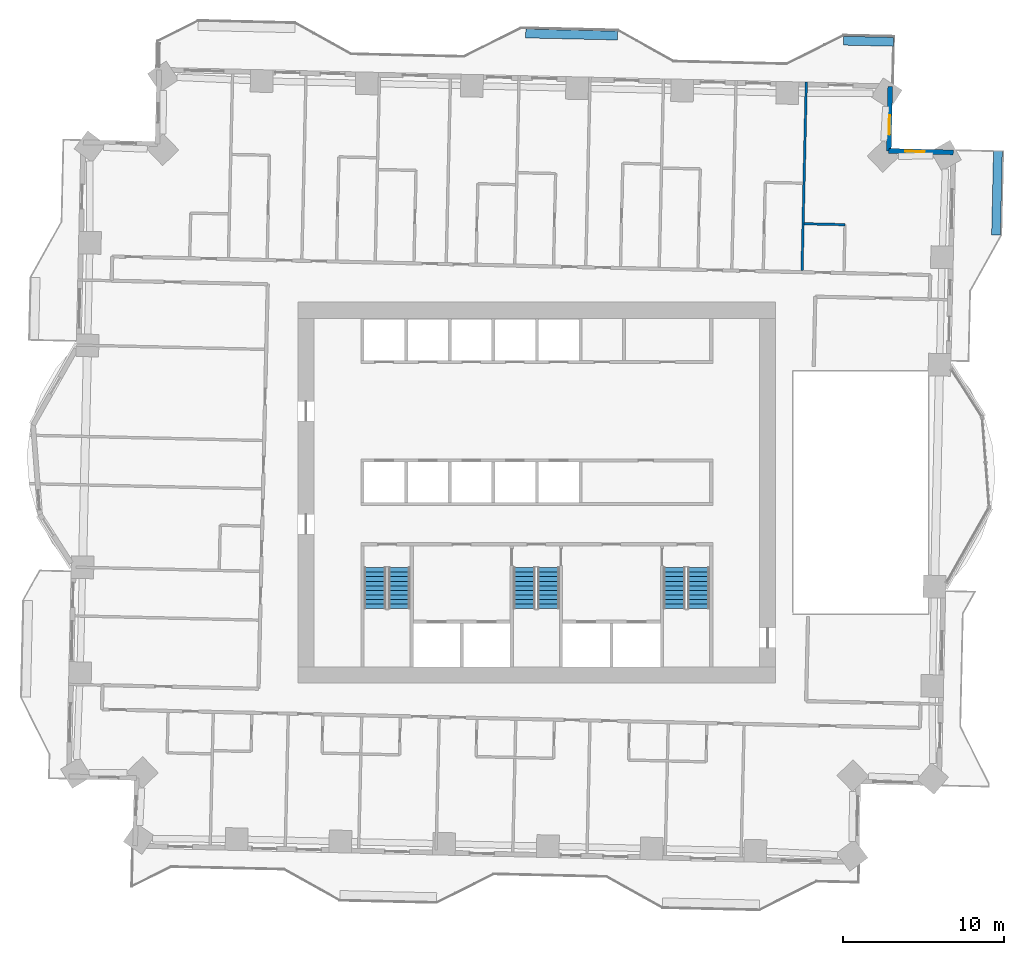
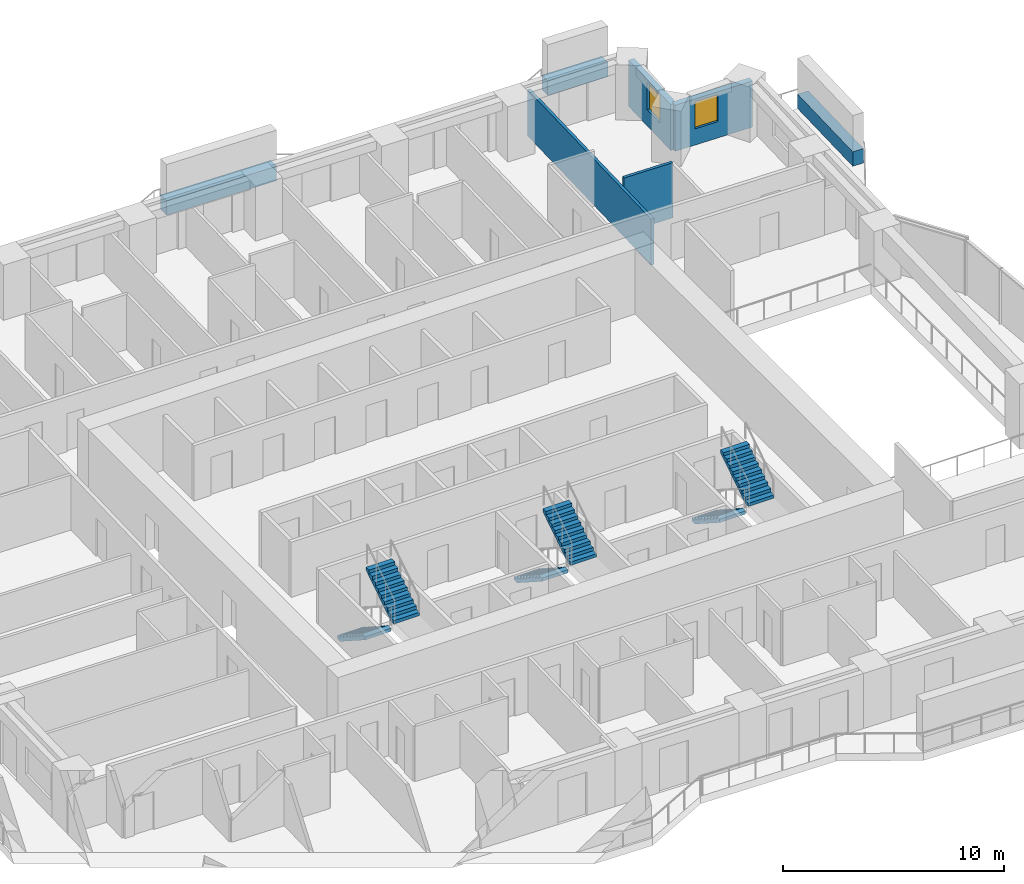
# One storey, part 12 of 16: 7 walls, 6 stair flights, 2 windows, 2 openings, 3 elements without a shape of their own.
"""IFC4 building model written with IfcOpenShell, lengths in metres."""

from ifc_helpers import new_model, si_unit, direction, frame, frame_2d, origin, place, context, subcontext, project, spatial, polyline, rectangle, outline, extrude, material, layer, layer_set, type_object, element, fill, aggregate, save


model = new_model("IFC4")

# Units and contexts
model_context = context("Model", 3, precision=1e-05, world=origin(), true_north=direction((0.0, 1.0)))
body_context = subcontext(model_context, "Body", "Model", "MODEL_VIEW")
ifc_project = project(units=[si_unit("LENGTHUNIT", "METRE"), si_unit("AREAUNIT", "SQUARE_METRE"), si_unit("VOLUMEUNIT", "CUBIC_METRE"), si_unit("PLANEANGLEUNIT", "RADIAN"), si_unit("MASSUNIT", "GRAM", prefix="KILO")], contexts=[model_context])

# Site, building, storey
site_placement = place(None, origin())
site = spatial("IfcSite", under=ifc_project, at=site_placement, CompositionType="ELEMENT")
building_placement = place(site_placement, origin())
building = spatial("IfcBuilding", under=site, at=building_placement, Name="Mangrove Gate Tower", CompositionType="ELEMENT")
storey_placement = place(building_placement, frame((0.0, 0.0, 101.89990234375)))
storey = spatial("IfcBuildingStorey", under=building, at=storey_placement, Name="L25", CompositionType="ELEMENT", Elevation=101.89990234375)

# Wall, opening, window
ifc_material_1 = material(Name="Limestone", Category="masonry")
ifc_layer_1 = layer(ifc_material_1, 0.0400390625, Name="Limestone cladding")
ifc_material_2 = material(Name="Ventilated air gap")
ifc_layer_2 = layer(ifc_material_2, 0.0400390625, Name="Ventilated cavity")
ifc_material_3 = material(Name="Mineral wool insulation")
ifc_layer_3 = layer(ifc_material_3, 0.06005859375, Name="Insulation")
ifc_material_4 = material(Name="Breather membrane")
ifc_layer_4 = layer(ifc_material_4, 0.001953125, Name="Breather membrane")
ifc_material_5 = material(Name="Concrete C20/25 blockwork", Category="masonry")
ifc_layer_5 = layer(ifc_material_5, 0.14990234375, Name="Blockwork backing wall")
ifc_material_6 = material(Name="Gypsum plaster")
ifc_layer_6 = layer(ifc_material_6, 0.008056640625, Name="Internal plaster")
ifc_layer_set_1 = layer_set([ifc_layer_1, ifc_layer_2, ifc_layer_3, ifc_layer_4, ifc_layer_5, ifc_layer_6], Name="External wall 300 limestone cladding")
wall_type_1 = type_object("IfcWallType", Name="External wall 300 limestone cladding", PredefinedType="SOLIDWALL", material=ifc_layer_set_1)
wall_1_placement = place(storey_placement, frame((25.802001953125, 21.0830078125, 0.0), z_axis=(0.0, 0.0, 1.0), x_axis=(-0.999740826251, 0.022765770952, 0.0)))
wall_1 = element("IfcWall", 1, at=wall_1_placement, inside=storey, type_object=wall_type_1, Name="WALL-L25-N3", PredefinedType="SOLIDWALL", context=body_context, shape_type="SweptSolid", body=[
    extrude(rectangle(XDim=4.0, YDim=0.300048828125, at=frame_2d((2.0, 0.0))), origin(), (0.0, 0.0, 1.0), 2.550048828125),
])
opening_1_placement = place(wall_1_placement, frame((1.782958984375, 0.0, 0.89990234375)))
opening_1 = element("IfcOpeningElement", 2, at=opening_1_placement, cuts=wall_1, Name="Opening W1", PredefinedType="OPENING", context=body_context, shape_type="SweptSolid", body=[
    extrude(rectangle(XDim=1.199951171875, YDim=1.5, at=frame_2d((0.60009765625, 0.75))), frame((0.0, 0.159912109375, 0.0), z_axis=(0.0, -1.0, 0.0), x_axis=(1.0, 0.0, 0.0)), (0.0, 0.0, 1.0), 0.320068359375),
])
ifc_material_7 = material(Name="Aluminium frame with double-glazed low-e glass", Category="aluminium")
window_type = type_object("IfcWindowType", Name="Side lite 1200x1500", PartitioningType="SINGLE_PANEL", PredefinedType="WINDOW", material=ifc_material_7)
window_1_placement = place(opening_1_placement, origin())
window_1 = element("IfcWindow", 3, at=window_1_placement, inside=storey, type_object=window_type, Name="WIN-L25-N3-1", OverallHeight=1.5, OverallWidth=1.199951171875, PartitioningType="SINGLE_PANEL", PredefinedType="WINDOW", context=body_context, shape_type="SweptSolid", body=[
    extrude(rectangle(XDim=1.199951171875, YDim=1.5, at=frame_2d((0.60009765625, 0.75))), frame((0.0, 0.030029296875, 0.0), z_axis=(0.0, -1.0, 0.0), x_axis=(1.0, 0.0, 0.0)), (0.0, 0.0, 1.0), 0.06005859375),
])
fill(opening_1, window_1)

wall_2_placement = place(storey_placement, frame((21.802978515625, 21.174072265625, 0.0), z_axis=(0.0, 0.0, 1.0), x_axis=(0.022765770952, 0.999740826251, 0.0)))
wall_2 = element("IfcWall", 4, at=wall_2_placement, inside=storey, type_object=wall_type_1, Name="WALL-L25-E4", PredefinedType="SOLIDWALL", context=body_context, shape_type="SweptSolid", body=[
    extrude(rectangle(XDim=4.0, YDim=0.300048828125, at=frame_2d((2.0, 0.0))), origin(), (0.0, 0.0, 1.0), 2.550048828125),
])
opening_2_placement = place(wall_2_placement, frame((1.01806640625, 0.0, 0.89990234375)))
opening_2 = element("IfcOpeningElement", 5, at=opening_2_placement, cuts=wall_2, Name="Opening W1", PredefinedType="OPENING", context=body_context, shape_type="SweptSolid", body=[
    extrude(rectangle(XDim=1.199951171875, YDim=1.5, at=frame_2d((0.60009765625, 0.75))), frame((0.0, 0.159912109375, 0.0), z_axis=(0.0, -1.0, 0.0), x_axis=(1.0, 0.0, 0.0)), (0.0, 0.0, 1.0), 0.320068359375),
])
window_2_placement = place(opening_2_placement, origin())
window_2 = element("IfcWindow", 6, at=window_2_placement, inside=storey, type_object=window_type, Name="WIN-L25-E4-1", OverallHeight=1.5, OverallWidth=1.199951171875, PartitioningType="SINGLE_PANEL", PredefinedType="WINDOW", context=body_context, shape_type="SweptSolid", body=[
    extrude(rectangle(XDim=1.199951171875, YDim=1.5, at=frame_2d((0.60009765625, 0.75))), frame((0.0, 0.030029296875, 0.0), z_axis=(0.0, -1.0, 0.0), x_axis=(1.0, 0.0, 0.0)), (0.0, 0.0, 1.0), 0.06005859375),
])
fill(opening_2, window_2)

# Walls
ifc_material_8 = material(Name="Gypsum board on steel stud, EI 60", Category="steel")
ifc_layer_7 = layer(ifc_material_8, 0.14990234375)
ifc_layer_set_2 = layer_set([ifc_layer_7], Name="Party wall 150 EI 60")
wall_type_2 = type_object("IfcWallType", Name="Party wall 150 EI 60", PredefinedType="PARTITIONING", material=ifc_layer_set_2)
wall_3_placement = place(storey_placement, frame((16.429931640625, 13.76806640625, 0.0), z_axis=(0.0, 0.0, 1.0), x_axis=(0.022624509406, 0.999744033028, 0.0)))
element("IfcWall", 7, at=wall_3_placement, inside=storey, type_object=wall_type_2, Name="WALL-L25-063", PredefinedType="PARTITIONING", context=body_context, shape_type="SweptSolid", body=[
    extrude(rectangle(XDim=11.67578125, YDim=0.14990234375, at=frame_2d((5.837890625, 0.0))), origin(), (0.0, 0.0, 1.0), 2.550048828125),
])
wall_4_placement = place(storey_placement, frame((16.56591796875, 16.662109375, 0.0), z_axis=(0.0, 0.0, 1.0), x_axis=(0.999735358199, -0.023004642294, 0.0)))
element("IfcWall", 8, at=wall_4_placement, inside=storey, type_object=wall_type_2, Name="WALL-L25-066", PredefinedType="PARTITIONING", context=body_context, shape_type="SweptSolid", body=[
    extrude(rectangle(XDim=2.52587890625, YDim=0.14990234375, at=frame_2d((1.262939453125, 0.0))), origin(), (0.0, 0.0, 1.0), 3.050048828125),
])
ifc_material_9 = material(Name="Concrete C32/40", Category="concrete")
ifc_layer_8 = layer(ifc_material_9, 0.199951171875, Name="Planter trough wall")
ifc_material_10 = material(Name="Bituminous waterproofing membrane")
ifc_layer_9 = layer(ifc_material_10, 0.0048828125, Name="Waterproofing")
ifc_material_11 = material(Name="Drainage board and gravel")
ifc_layer_10 = layer(ifc_material_11, 0.044921875, Name="Drainage layer")
ifc_material_12 = material(Name="Planting soil")
ifc_layer_11 = layer(ifc_material_12, 0.300048828125, Name="Growing medium")
ifc_layer_set_3 = layer_set([ifc_layer_8, ifc_layer_9, ifc_layer_10, ifc_layer_11], Name="Planter wall 550 C32/40")
wall_type_3 = type_object("IfcWallType", Name="Planter wall 550 C32/40", PredefinedType="USERDEFINED", material=ifc_layer_set_3)
wall_5_placement = place(storey_placement, frame((28.451904296875, 15.971923828125, 0.0), z_axis=(0.0, 0.0, 1.0), x_axis=(0.022726738515, 0.999741714322, 0.0)))
element("IfcWall", 9, at=wall_5_placement, inside=storey, type_object=wall_type_3, Name="PLANTER L25 E1.1", ObjectType="PLANTER", PredefinedType="USERDEFINED", context=body_context, shape_type="SweptSolid", body=[
    extrude(rectangle(XDim=5.199462890625, YDim=0.550048828125, at=frame_2d((2.599609375, 0.0))), origin(), (0.0, 0.0, 1.0), 0.800048828125),
])
wall_6_placement = place(storey_placement, frame((-0.69091796875, 28.450927734375, 0.0), z_axis=(0.0, 0.0, 1.0), x_axis=(0.999744196375, -0.022617290187, 0.0)))
element("IfcWall", 10, at=wall_6_placement, inside=storey, type_object=wall_type_3, Name="PLANTER L25 N0.1", ObjectType="PLANTER", PredefinedType="USERDEFINED", context=body_context, shape_type="SweptSolid", body=[
    extrude(rectangle(XDim=5.699462890625, YDim=0.550048828125, at=frame_2d((2.849609375, 0.0))), origin(), (0.0, 0.0, 1.0), 0.800048828125),
])
wall_7_placement = place(storey_placement, frame((19.0029296875, 28.00390625, 0.0), z_axis=(0.0, 0.0, 1.0), x_axis=(0.999747085998, -0.022489198254, 0.0)))
element("IfcWall", 11, at=wall_7_placement, inside=storey, type_object=wall_type_3, Name="PLANTER L25 N0.2", ObjectType="PLANTER", PredefinedType="USERDEFINED", context=body_context, shape_type="SweptSolid", body=[
    extrude(rectangle(XDim=3.104736328125, YDim=0.550048828125, at=frame_2d((1.55224609375, 0.0))), origin(), (0.0, 0.0, 1.0), 0.800048828125),
])

# Stair, stair flights
ifc_material_13 = material(Name="Concrete C40/50", Category="concrete")
stair_type = type_object("IfcStairType", Name="Core stair 1350", PredefinedType="HALF_TURN_STAIR", material=ifc_material_13)
stair_1_placement = place(storey_placement, origin())
stair_1 = element("IfcStair", 12, at=stair_1_placement, inside=storey, type_object=stair_type, Name="L25 Stair 1", PredefinedType="HALF_TURN_STAIR")
ifc_material_14 = material(Name="Concrete C40/50", Category="concrete")
stair_flight_type = type_object("IfcStairFlightType", Name="Core stair flight 1350", PredefinedType="STRAIGHT", material=ifc_material_14)
stair_flight_1_placement = place(storey_placement, frame((-10.02490234375, -4.64990234375, 0.0), z_axis=(0.0, 0.0, 1.0), x_axis=(0.0, -1.0, 0.0)))
stair_flight_1 = element("IfcStairFlight", 13, at=stair_flight_1_placement, type_object=stair_flight_type, Name="ST1 flight 1", NumberOfRisers=10, NumberOfTreads=9, PredefinedType="STRAIGHT", RiserHeight=0.18, TreadLength=0.28, context=body_context, shape_type="SweptSolid", body=[
    extrude(outline(polyline([(0.0, 0.0), (0.0, 0.179931640625), (0.280029296875, 0.179931640625), (0.280029296875, 0.360107421875), (0.56005859375, 0.360107421875), (0.56005859375, 0.5400390625), (0.840087890625, 0.5400390625), (0.840087890625, 0.719970703125), (1.1201171875, 0.719970703125), (1.1201171875, 0.89990234375), (1.39990234375, 0.89990234375), (1.39990234375, 1.080078125), (1.679931640625, 1.080078125), (1.679931640625, 1.260009765625), (1.9599609375, 1.260009765625), (1.9599609375, 1.43994140625), (2.239990234375, 1.43994140625), (2.239990234375, 1.6201171875), (2.52001953125, 1.6201171875), (2.52001953125, 1.800048828125), (2.52001953125, 1.44189453125), (0.277099609375, 0.0), (0.0, 0.0)])), frame((0.0, 0.675048828125, 0.0), z_axis=(0.0, -1.0, 0.0), x_axis=(1.0, 0.0, 0.0)), (0.0, 0.0, 1.0), 1.35009765625),
])
stair_flight_2_placement = place(storey_placement, frame((-8.52490234375, -7.169921875, 1.800048828125), z_axis=(0.0, 0.0, 1.0), x_axis=(0.0, 1.0, 0.0)))
stair_flight_2 = element("IfcStairFlight", 14, at=stair_flight_2_placement, type_object=stair_flight_type, Name="ST1 flight 2", NumberOfRisers=10, NumberOfTreads=9, PredefinedType="STRAIGHT", RiserHeight=0.18, TreadLength=0.28, context=body_context, shape_type="SweptSolid", body=[
    extrude(outline(polyline([(0.0, 0.0), (0.0, 0.179931640625), (0.280029296875, 0.179931640625), (0.280029296875, 0.360107421875), (0.56005859375, 0.360107421875), (0.56005859375, 0.5400390625), (0.840087890625, 0.5400390625), (0.840087890625, 0.719970703125), (1.1201171875, 0.719970703125), (1.1201171875, 0.89990234375), (1.39990234375, 0.89990234375), (1.39990234375, 1.080078125), (1.679931640625, 1.080078125), (1.679931640625, 1.260009765625), (1.9599609375, 1.260009765625), (1.9599609375, 1.43994140625), (2.239990234375, 1.43994140625), (2.239990234375, 1.6201171875), (2.52001953125, 1.6201171875), (2.52001953125, 1.800048828125), (2.52001953125, 1.44189453125), (0.277099609375, 0.0), (0.0, 0.0)])), frame((0.0, 0.675048828125, 0.0), z_axis=(0.0, -1.0, 0.0), x_axis=(1.0, 0.0, 0.0)), (0.0, 0.0, 1.0), 1.35009765625),
])
aggregate(stair_1, [stair_flight_1, stair_flight_2])

stair_2_placement = place(storey_placement, origin())
stair_2 = element("IfcStair", 15, at=stair_2_placement, inside=storey, type_object=stair_type, Name="L25 Stair 2", PredefinedType="HALF_TURN_STAIR")
stair_flight_3_placement = place(storey_placement, frame((-0.77490234375, -4.64990234375, 0.0), z_axis=(0.0, 0.0, 1.0), x_axis=(0.0, -1.0, 0.0)))
stair_flight_3 = element("IfcStairFlight", 16, at=stair_flight_3_placement, type_object=stair_flight_type, Name="ST2 flight 1", NumberOfRisers=10, NumberOfTreads=9, PredefinedType="STRAIGHT", RiserHeight=0.18, TreadLength=0.28, context=body_context, shape_type="SweptSolid", body=[
    extrude(outline(polyline([(0.0, 0.0), (0.0, 0.179931640625), (0.280029296875, 0.179931640625), (0.280029296875, 0.360107421875), (0.56005859375, 0.360107421875), (0.56005859375, 0.5400390625), (0.840087890625, 0.5400390625), (0.840087890625, 0.719970703125), (1.1201171875, 0.719970703125), (1.1201171875, 0.89990234375), (1.39990234375, 0.89990234375), (1.39990234375, 1.080078125), (1.679931640625, 1.080078125), (1.679931640625, 1.260009765625), (1.9599609375, 1.260009765625), (1.9599609375, 1.43994140625), (2.239990234375, 1.43994140625), (2.239990234375, 1.6201171875), (2.52001953125, 1.6201171875), (2.52001953125, 1.800048828125), (2.52001953125, 1.44189453125), (0.277099609375, 0.0), (0.0, 0.0)])), frame((0.0, 0.675048828125, 0.0), z_axis=(0.0, -1.0, 0.0), x_axis=(1.0, 0.0, 0.0)), (0.0, 0.0, 1.0), 1.35009765625),
])
stair_flight_4_placement = place(storey_placement, frame((0.72509765625, -7.169921875, 1.800048828125), z_axis=(0.0, 0.0, 1.0), x_axis=(0.0, 1.0, 0.0)))
stair_flight_4 = element("IfcStairFlight", 17, at=stair_flight_4_placement, type_object=stair_flight_type, Name="ST2 flight 2", NumberOfRisers=10, NumberOfTreads=9, PredefinedType="STRAIGHT", RiserHeight=0.18, TreadLength=0.28, context=body_context, shape_type="SweptSolid", body=[
    extrude(outline(polyline([(0.0, 0.0), (0.0, 0.179931640625), (0.280029296875, 0.179931640625), (0.280029296875, 0.360107421875), (0.56005859375, 0.360107421875), (0.56005859375, 0.5400390625), (0.840087890625, 0.5400390625), (0.840087890625, 0.719970703125), (1.1201171875, 0.719970703125), (1.1201171875, 0.89990234375), (1.39990234375, 0.89990234375), (1.39990234375, 1.080078125), (1.679931640625, 1.080078125), (1.679931640625, 1.260009765625), (1.9599609375, 1.260009765625), (1.9599609375, 1.43994140625), (2.239990234375, 1.43994140625), (2.239990234375, 1.6201171875), (2.52001953125, 1.6201171875), (2.52001953125, 1.800048828125), (2.52001953125, 1.44189453125), (0.277099609375, 0.0), (0.0, 0.0)])), frame((0.0, 0.675048828125, 0.0), z_axis=(0.0, -1.0, 0.0), x_axis=(1.0, 0.0, 0.0)), (0.0, 0.0, 1.0), 1.35009765625),
])
aggregate(stair_2, [stair_flight_3, stair_flight_4])

stair_3_placement = place(storey_placement, origin())
stair_3 = element("IfcStair", 18, at=stair_3_placement, inside=storey, type_object=stair_type, Name="L25 Stair 3", PredefinedType="HALF_TURN_STAIR")
stair_flight_5_placement = place(storey_placement, frame((8.52490234375, -4.64990234375, 0.0), z_axis=(0.0, 0.0, 1.0), x_axis=(0.0, -1.0, 0.0)))
stair_flight_5 = element("IfcStairFlight", 19, at=stair_flight_5_placement, type_object=stair_flight_type, Name="ST3 flight 1", NumberOfRisers=10, NumberOfTreads=9, PredefinedType="STRAIGHT", RiserHeight=0.18, TreadLength=0.28, context=body_context, shape_type="SweptSolid", body=[
    extrude(outline(polyline([(0.0, 0.0), (0.0, 0.179931640625), (0.280029296875, 0.179931640625), (0.280029296875, 0.360107421875), (0.56005859375, 0.360107421875), (0.56005859375, 0.5400390625), (0.840087890625, 0.5400390625), (0.840087890625, 0.719970703125), (1.1201171875, 0.719970703125), (1.1201171875, 0.89990234375), (1.39990234375, 0.89990234375), (1.39990234375, 1.080078125), (1.679931640625, 1.080078125), (1.679931640625, 1.260009765625), (1.9599609375, 1.260009765625), (1.9599609375, 1.43994140625), (2.239990234375, 1.43994140625), (2.239990234375, 1.6201171875), (2.52001953125, 1.6201171875), (2.52001953125, 1.800048828125), (2.52001953125, 1.44189453125), (0.277099609375, 0.0), (0.0, 0.0)])), frame((0.0, 0.675048828125, 0.0), z_axis=(0.0, -1.0, 0.0), x_axis=(1.0, 0.0, 0.0)), (0.0, 0.0, 1.0), 1.35009765625),
])
stair_flight_6_placement = place(storey_placement, frame((10.02490234375, -7.169921875, 1.800048828125), z_axis=(0.0, 0.0, 1.0), x_axis=(0.0, 1.0, 0.0)))
stair_flight_6 = element("IfcStairFlight", 20, at=stair_flight_6_placement, type_object=stair_flight_type, Name="ST3 flight 2", NumberOfRisers=10, NumberOfTreads=9, PredefinedType="STRAIGHT", RiserHeight=0.18, TreadLength=0.28, context=body_context, shape_type="SweptSolid", body=[
    extrude(outline(polyline([(0.0, 0.0), (0.0, 0.179931640625), (0.280029296875, 0.179931640625), (0.280029296875, 0.360107421875), (0.56005859375, 0.360107421875), (0.56005859375, 0.5400390625), (0.840087890625, 0.5400390625), (0.840087890625, 0.719970703125), (1.1201171875, 0.719970703125), (1.1201171875, 0.89990234375), (1.39990234375, 0.89990234375), (1.39990234375, 1.080078125), (1.679931640625, 1.080078125), (1.679931640625, 1.260009765625), (1.9599609375, 1.260009765625), (1.9599609375, 1.43994140625), (2.239990234375, 1.43994140625), (2.239990234375, 1.6201171875), (2.52001953125, 1.6201171875), (2.52001953125, 1.800048828125), (2.52001953125, 1.44189453125), (0.277099609375, 0.0), (0.0, 0.0)])), frame((0.0, 0.675048828125, 0.0), z_axis=(0.0, -1.0, 0.0), x_axis=(1.0, 0.0, 0.0)), (0.0, 0.0, 1.0), 1.35009765625),
])
aggregate(stair_3, [stair_flight_5, stair_flight_6])

save(model, "model.ifc")
